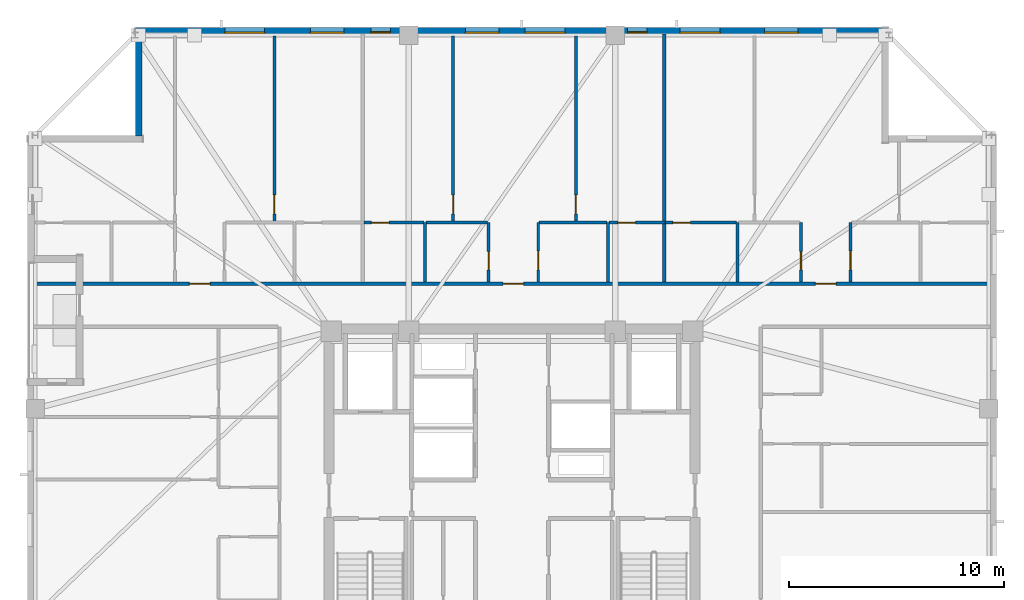
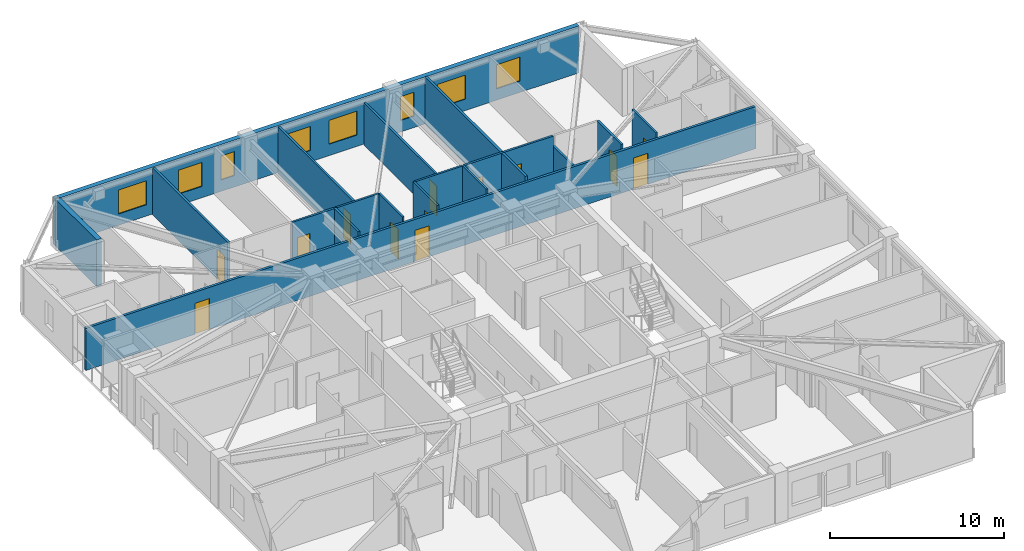
# One storey, part 11 of 17: 19 walls, 13 doors, 8 windows, 21 openings.
"""IFC4 building model written with IfcOpenShell, lengths in metres."""

from ifc_helpers import new_model, si_unit, direction, frame, frame_2d, origin, place, context, subcontext, project, spatial, rectangle, extrude, material, layer, layer_set, type_object, element, fill, save


model = new_model("IFC4")

# Units and contexts
model_context = context("Model", 3, precision=1e-05, world=origin(), true_north=direction((0.0, 1.0)))
body_context = subcontext(model_context, "Body", "Model", "MODEL_VIEW")
ifc_project = project(units=[si_unit("LENGTHUNIT", "METRE"), si_unit("AREAUNIT", "SQUARE_METRE"), si_unit("VOLUMEUNIT", "CUBIC_METRE"), si_unit("PLANEANGLEUNIT", "RADIAN"), si_unit("MASSUNIT", "GRAM", prefix="KILO")], contexts=[model_context])

# Site, building, storey
site_placement = place(None, origin())
site = spatial("IfcSite", under=ifc_project, at=site_placement, CompositionType="ELEMENT")
building_placement = place(site_placement, origin())
building = spatial("IfcBuilding", under=site, at=building_placement, Name="Cairnveth Concourse Tower", CompositionType="ELEMENT")
storey_placement = place(building_placement, frame((0.0, 0.0, 230.5)))
storey = spatial("IfcBuildingStorey", under=building, at=storey_placement, Name="L63", CompositionType="ELEMENT", Elevation=230.5)

# Wall, openings, doors
ifc_material_1 = material(Name="Gypsum Plasterboard Partition", Category="gypsum")
ifc_layer_1 = layer(ifc_material_1, 0.159912109375)
ifc_layer_set_1 = layer_set([ifc_layer_1], Name="Gypsum Plasterboard Partition")
wall_type_1 = type_object("IfcWallType", Name="ACOUSTIC PARTY WALL 180", PredefinedType="PARTITIONING", material=ifc_layer_set_1)
wall_1_placement = place(storey_placement, frame((29.77001953125, 49.612548828125, 0.0), z_axis=(0.0, 0.0, 1.0), x_axis=(1.0, 0.0, 0.0)))
wall_1 = element("IfcWall", 1, at=wall_1_placement, inside=storey, type_object=wall_type_1, Name="Interior Wall IW-L63-036", PredefinedType="PARTITIONING", context=body_context, shape_type="SweptSolid", body=[
    extrude(rectangle(XDim=44.425048828125, YDim=0.159912109375, at=frame_2d((22.21240234375, 0.0))), origin(), (0.0, 0.0, 1.0), 2.9580078125),
])
opening_1_placement = place(wall_1_placement, frame((7.2412109375, 0.0, 0.0)))
opening_1 = element("IfcOpeningElement", 2, at=opening_1_placement, cuts=wall_1, Name="Opening ID10", PredefinedType="OPENING", context=body_context, shape_type="SweptSolid", body=[
    extrude(rectangle(XDim=0.9599609375, YDim=2.179931640625, at=frame_2d((0.47998046875, 1.08984375))), frame((0.0, 0.08984375, 0.0), z_axis=(0.0, -1.0, 0.0), x_axis=(1.0, 0.0, 0.0)), (0.0, 0.0, 1.0), 0.179931640625),
])
opening_2_placement = place(wall_1_placement, frame((21.81494140625, 0.0, 0.0)))
opening_2 = element("IfcOpeningElement", 3, at=opening_2_placement, cuts=wall_1, Name="Opening ID10", PredefinedType="OPENING", context=body_context, shape_type="SweptSolid", body=[
    extrude(rectangle(XDim=0.9599609375, YDim=2.179931640625, at=frame_2d((0.47998046875, 1.08984375))), frame((0.0, 0.08984375, 0.0), z_axis=(0.0, -1.0, 0.0), x_axis=(1.0, 0.0, 0.0)), (0.0, 0.0, 1.0), 0.179931640625),
])
opening_3_placement = place(wall_1_placement, frame((36.32373046875, 0.0, 0.0)))
opening_3 = element("IfcOpeningElement", 4, at=opening_3_placement, cuts=wall_1, Name="Opening ID10", PredefinedType="OPENING", context=body_context, shape_type="SweptSolid", body=[
    extrude(rectangle(XDim=0.9599609375, YDim=2.179931640625, at=frame_2d((0.47998046875, 1.08984375))), frame((0.0, 0.08984375, 0.0), z_axis=(0.0, -1.0, 0.0), x_axis=(1.0, 0.0, 0.0)), (0.0, 0.0, 1.0), 0.179931640625),
])
ifc_material_2 = material(Name="Solid Core Hardwood Timber Leaf", Category="wood")
door_type_1 = type_object("IfcDoorType", Name="FLAT ENTRANCE DOOR 960X2150", OperationType="NOTDEFINED", PredefinedType="DOOR", material=ifc_material_2)
door_1_placement = place(opening_1_placement, origin())
door_1 = element("IfcDoor", 5, at=door_1_placement, inside=storey, type_object=door_type_1, Name="Apartment L63N1 Entrance Door", OperationType="SINGLE_SWING_RIGHT", OverallHeight=2.179931640625, OverallWidth=0.9599609375, PredefinedType="DOOR", context=body_context, shape_type="SweptSolid", body=[
    extrude(rectangle(XDim=0.9599609375, YDim=2.179931640625, at=frame_2d((0.47998046875, 1.08984375))), frame((0.0, 0.02490234375, 0.0), z_axis=(0.0, -1.0, 0.0), x_axis=(1.0, 0.0, 0.0)), (0.0, 0.0, 1.0), 0.050048828125),
])
fill(opening_1, door_1)
door_2_placement = place(opening_2_placement, origin())
door_2 = element("IfcDoor", 6, at=door_2_placement, inside=storey, type_object=door_type_1, Name="Apartment L63N2 Entrance Door", OperationType="SINGLE_SWING_LEFT", OverallHeight=2.179931640625, OverallWidth=0.9599609375, PredefinedType="DOOR", context=body_context, shape_type="SweptSolid", body=[
    extrude(rectangle(XDim=0.9599609375, YDim=2.179931640625, at=frame_2d((0.47998046875, 1.08984375))), frame((0.0, 0.02490234375, 0.0), z_axis=(0.0, -1.0, 0.0), x_axis=(1.0, 0.0, 0.0)), (0.0, 0.0, 1.0), 0.050048828125),
])
fill(opening_2, door_2)
door_3_placement = place(opening_3_placement, origin())
door_3 = element("IfcDoor", 7, at=door_3_placement, inside=storey, type_object=door_type_1, Name="Apartment L63N3 Entrance Door", OperationType="SINGLE_SWING_RIGHT", OverallHeight=2.179931640625, OverallWidth=0.9599609375, PredefinedType="DOOR", context=body_context, shape_type="SweptSolid", body=[
    extrude(rectangle(XDim=0.9599609375, YDim=2.179931640625, at=frame_2d((0.47998046875, 1.08984375))), frame((0.0, 0.02490234375, 0.0), z_axis=(0.0, -1.0, 0.0), x_axis=(1.0, 0.0, 0.0)), (0.0, 0.0, 1.0), 0.050048828125),
])
fill(opening_3, door_3)

# Wall
wall_2_placement = place(storey_placement, frame((59.0673828125, 49.677490234375, 0.0), z_axis=(0.0, 0.0, 1.0), x_axis=(0.0, 1.0, 0.0)))
element("IfcWall", 8, at=wall_2_placement, inside=storey, type_object=wall_type_1, Name="Interior Wall IW-L63-087", PredefinedType="PARTITIONING", context=body_context, shape_type="SweptSolid", body=[
    extrude(rectangle(XDim=11.517578125, YDim=0.159912109375, at=frame_2d((5.7587890625, 0.0))), origin(), (0.0, 0.0, 1.0), 3.2900390625),
])

# Wall, opening, door
ifc_layer_2 = layer(ifc_material_1, 0.139892578125)
ifc_layer_set_2 = layer_set([ifc_layer_2], Name="Gypsum Plasterboard Partition")
wall_type_2 = type_object("IfcWallType", Name="GYPSUM STUD PARTITION 140", PredefinedType="PARTITIONING", material=ifc_layer_set_2)
wall_3_placement = place(storey_placement, frame((40.96240234375, 52.492431640625, 0.0), z_axis=(0.0, 0.0, 1.0), x_axis=(0.0, 1.0, 0.0)))
wall_3 = element("IfcWall", 9, at=wall_3_placement, inside=storey, type_object=wall_type_2, Name="Interior Wall IW-L63-074", PredefinedType="PARTITIONING", context=body_context, shape_type="SweptSolid", body=[
    extrude(rectangle(XDim=8.627685546875, YDim=0.139892578125, at=frame_2d((4.31396484375, 0.0))), origin(), (0.0, 0.0, 1.0), 3.2900390625),
])
opening_4_placement = place(wall_3_placement, frame((0.360107421875, 0.0, 0.0)))
opening_4 = element("IfcOpeningElement", 10, at=opening_4_placement, cuts=wall_3, Name="Opening ID18", PredefinedType="OPENING", context=body_context, shape_type="SweptSolid", body=[
    extrude(rectangle(XDim=0.8798828125, YDim=2.10009765625, at=frame_2d((0.43994140625, 1.050048828125))), frame((0.0, 0.079833984375, 0.0), z_axis=(0.0, -1.0, 0.0), x_axis=(1.0, 0.0, 0.0)), (0.0, 0.0, 1.0), 0.159912109375),
])
door_type_2 = type_object("IfcDoorType", Name="INTERIOR SINGLE DOOR 880X2100", OperationType="NOTDEFINED", PredefinedType="DOOR", material=ifc_material_2)
door_4_placement = place(opening_4_placement, origin())
door_4 = element("IfcDoor", 11, at=door_4_placement, inside=storey, type_object=door_type_2, Name="L63N1 Bedroom 2 Door", OperationType="SINGLE_SWING_LEFT", OverallHeight=2.10009765625, OverallWidth=0.8798828125, PredefinedType="DOOR", context=body_context, shape_type="SweptSolid", body=[
    extrude(rectangle(XDim=0.8798828125, YDim=2.10009765625, at=frame_2d((0.43994140625, 1.050048828125))), frame((0.0, 0.02490234375, 0.0), z_axis=(0.0, -1.0, 0.0), x_axis=(1.0, 0.0, 0.0)), (0.0, 0.0, 1.0), 0.050048828125),
])
fill(opening_4, door_4)

wall_4_placement = place(storey_placement, frame((49.262451171875, 52.492431640625, 0.0), z_axis=(0.0, 0.0, 1.0), x_axis=(0.0, 1.0, 0.0)))
wall_4 = element("IfcWall", 12, at=wall_4_placement, inside=storey, type_object=wall_type_2, Name="Interior Wall IW-L63-083", PredefinedType="PARTITIONING", context=body_context, shape_type="SweptSolid", body=[
    extrude(rectangle(XDim=8.627685546875, YDim=0.139892578125, at=frame_2d((4.31396484375, 0.0))), origin(), (0.0, 0.0, 1.0), 3.2900390625),
])
opening_5_placement = place(wall_4_placement, frame((0.360107421875, 0.0, 0.0)))
opening_5 = element("IfcOpeningElement", 13, at=opening_5_placement, cuts=wall_4, Name="Opening ID18", PredefinedType="OPENING", context=body_context, shape_type="SweptSolid", body=[
    extrude(rectangle(XDim=0.8798828125, YDim=2.10009765625, at=frame_2d((0.43994140625, 1.050048828125))), frame((0.0, 0.079833984375, 0.0), z_axis=(0.0, -1.0, 0.0), x_axis=(1.0, 0.0, 0.0)), (0.0, 0.0, 1.0), 0.159912109375),
])
door_5_placement = place(opening_5_placement, origin())
door_5 = element("IfcDoor", 14, at=door_5_placement, inside=storey, type_object=door_type_2, Name="L63N2 Master Bedroom Door", OperationType="SINGLE_SWING_RIGHT", OverallHeight=2.10009765625, OverallWidth=0.8798828125, PredefinedType="DOOR", context=body_context, shape_type="SweptSolid", body=[
    extrude(rectangle(XDim=0.8798828125, YDim=2.10009765625, at=frame_2d((0.43994140625, 1.050048828125))), frame((0.0, 0.02490234375, 0.0), z_axis=(0.0, -1.0, 0.0), x_axis=(1.0, 0.0, 0.0)), (0.0, 0.0, 1.0), 0.050048828125),
])
fill(opening_5, door_5)

wall_5_placement = place(storey_placement, frame((45.12744140625, 52.4423828125, 0.0), z_axis=(0.0, 0.0, 1.0), x_axis=(1.0, 0.0, 0.0)))
wall_5 = element("IfcWall", 15, at=wall_5_placement, inside=storey, type_object=wall_type_2, Name="Interior Wall IW-L63-084", PredefinedType="PARTITIONING", context=body_context, shape_type="SweptSolid", body=[
    extrude(rectangle(XDim=2.78759765625, YDim=0.139892578125, at=frame_2d((1.393798828125, 0.0))), origin(), (0.0, 0.0, 1.0), 3.2900390625),
])
opening_6_placement = place(wall_5_placement, frame((0.3349609375, 0.0, 0.0)))
opening_6 = element("IfcOpeningElement", 16, at=opening_6_placement, cuts=wall_5, Name="Opening ID22", PredefinedType="OPENING", context=body_context, shape_type="SweptSolid", body=[
    extrude(rectangle(XDim=0.820068359375, YDim=2.10009765625, at=frame_2d((0.41015625, 1.050048828125))), frame((0.0, 0.079833984375, 0.0), z_axis=(0.0, -1.0, 0.0), x_axis=(1.0, 0.0, 0.0)), (0.0, 0.0, 1.0), 0.159912109375),
])
door_type_3 = type_object("IfcDoorType", Name="INTERIOR WC DOOR 820X2100", OperationType="NOTDEFINED", PredefinedType="DOOR", material=ifc_material_2)
door_6_placement = place(opening_6_placement, origin())
door_6 = element("IfcDoor", 17, at=door_6_placement, inside=storey, type_object=door_type_3, Name="L63N2 Dressing Door", OperationType="SINGLE_SWING_LEFT", OverallHeight=2.10009765625, OverallWidth=0.820068359375, PredefinedType="DOOR", context=body_context, shape_type="SweptSolid", body=[
    extrude(rectangle(XDim=0.820068359375, YDim=2.10009765625, at=frame_2d((0.41015625, 1.050048828125))), frame((0.0, 0.02490234375, 0.0), z_axis=(0.0, -1.0, 0.0), x_axis=(1.0, 0.0, 0.0)), (0.0, 0.0, 1.0), 0.050048828125),
])
fill(opening_6, door_6)

wall_6_placement = place(storey_placement, frame((54.967529296875, 52.492431640625, 0.0), z_axis=(0.0, 0.0, 1.0), x_axis=(0.0, 1.0, 0.0)))
wall_6 = element("IfcWall", 18, at=wall_6_placement, inside=storey, type_object=wall_type_2, Name="Interior Wall IW-L63-085", PredefinedType="PARTITIONING", context=body_context, shape_type="SweptSolid", body=[
    extrude(rectangle(XDim=8.627685546875, YDim=0.139892578125, at=frame_2d((4.31396484375, 0.0))), origin(), (0.0, 0.0, 1.0), 2.9580078125),
])
opening_7_placement = place(wall_6_placement, frame((0.360107421875, 0.0, 0.0)))
opening_7 = element("IfcOpeningElement", 19, at=opening_7_placement, cuts=wall_6, Name="Opening ID18", PredefinedType="OPENING", context=body_context, shape_type="SweptSolid", body=[
    extrude(rectangle(XDim=0.8798828125, YDim=2.10009765625, at=frame_2d((0.43994140625, 1.050048828125))), frame((0.0, 0.079833984375, 0.0), z_axis=(0.0, -1.0, 0.0), x_axis=(1.0, 0.0, 0.0)), (0.0, 0.0, 1.0), 0.159912109375),
])
door_7_placement = place(opening_7_placement, origin())
door_7 = element("IfcDoor", 20, at=door_7_placement, inside=storey, type_object=door_type_2, Name="L63N2 Bedroom 2 Door", OperationType="SINGLE_SWING_RIGHT", OverallHeight=2.10009765625, OverallWidth=0.8798828125, PredefinedType="DOOR", context=body_context, shape_type="SweptSolid", body=[
    extrude(rectangle(XDim=0.8798828125, YDim=2.10009765625, at=frame_2d((0.43994140625, 1.050048828125))), frame((0.0, 0.02490234375, 0.0), z_axis=(0.0, -1.0, 0.0), x_axis=(1.0, 0.0, 0.0)), (0.0, 0.0, 1.0), 0.050048828125),
])
fill(opening_7, door_7)

wall_7_placement = place(storey_placement, frame((56.514892578125, 52.4423828125, 0.0), z_axis=(0.0, 0.0, 1.0), x_axis=(1.0, 0.0, 0.0)))
wall_7 = element("IfcWall", 21, at=wall_7_placement, inside=storey, type_object=wall_type_2, Name="Interior Wall IW-L63-086", PredefinedType="PARTITIONING", context=body_context, shape_type="SweptSolid", body=[
    extrude(rectangle(XDim=2.6025390625, YDim=0.139892578125, at=frame_2d((1.30126953125, 0.0))), origin(), (0.0, 0.0, 1.0), 3.2900390625),
])
opening_8_placement = place(wall_7_placement, frame((0.39990234375, 0.0, 0.0)))
opening_8 = element("IfcOpeningElement", 22, at=opening_8_placement, cuts=wall_7, Name="Opening ID22", PredefinedType="OPENING", context=body_context, shape_type="SweptSolid", body=[
    extrude(rectangle(XDim=0.820068359375, YDim=2.10009765625, at=frame_2d((0.41015625, 1.050048828125))), frame((0.0, 0.079833984375, 0.0), z_axis=(0.0, -1.0, 0.0), x_axis=(1.0, 0.0, 0.0)), (0.0, 0.0, 1.0), 0.159912109375),
])
door_8_placement = place(opening_8_placement, origin())
door_8 = element("IfcDoor", 23, at=door_8_placement, inside=storey, type_object=door_type_3, Name="L63N2 Utility Door", OperationType="SINGLE_SWING_LEFT", OverallHeight=2.10009765625, OverallWidth=0.820068359375, PredefinedType="DOOR", context=body_context, shape_type="SweptSolid", body=[
    extrude(rectangle(XDim=0.820068359375, YDim=2.10009765625, at=frame_2d((0.41015625, 1.050048828125))), frame((0.0, 0.02490234375, 0.0), z_axis=(0.0, -1.0, 0.0), x_axis=(1.0, 0.0, 0.0)), (0.0, 0.0, 1.0), 0.050048828125),
])
fill(opening_8, door_8)

wall_8_placement = place(storey_placement, frame((59.132568359375, 52.4423828125, 0.0), z_axis=(0.0, 0.0, 1.0), x_axis=(1.0, 0.0, 0.0)))
wall_8 = element("IfcWall", 24, at=wall_8_placement, inside=storey, type_object=wall_type_2, Name="Interior Wall IW-L63-095", PredefinedType="PARTITIONING", context=body_context, shape_type="SweptSolid", body=[
    extrude(rectangle(XDim=3.291015625, YDim=0.139892578125, at=frame_2d((1.6455078125, 0.0))), origin(), (0.0, 0.0, 1.0), 3.2900390625),
])
opening_9_placement = place(wall_8_placement, frame((0.3349609375, 0.0, 0.0)))
opening_9 = element("IfcOpeningElement", 25, at=opening_9_placement, cuts=wall_8, Name="Opening ID22", PredefinedType="OPENING", context=body_context, shape_type="SweptSolid", body=[
    extrude(rectangle(XDim=0.820068359375, YDim=2.10009765625, at=frame_2d((0.41015625, 1.050048828125))), frame((0.0, 0.079833984375, 0.0), z_axis=(0.0, -1.0, 0.0), x_axis=(1.0, 0.0, 0.0)), (0.0, 0.0, 1.0), 0.159912109375),
])
door_9_placement = place(opening_9_placement, origin())
door_9 = element("IfcDoor", 26, at=door_9_placement, inside=storey, type_object=door_type_3, Name="L63N3 Dressing Door", OperationType="SINGLE_SWING_RIGHT", OverallHeight=2.10009765625, OverallWidth=0.820068359375, PredefinedType="DOOR", context=body_context, shape_type="SweptSolid", body=[
    extrude(rectangle(XDim=0.820068359375, YDim=2.10009765625, at=frame_2d((0.41015625, 1.050048828125))), frame((0.0, 0.02490234375, 0.0), z_axis=(0.0, -1.0, 0.0), x_axis=(1.0, 0.0, 0.0)), (0.0, 0.0, 1.0), 0.050048828125),
])
fill(opening_9, door_9)

# Wall
ifc_layer_3 = layer(ifc_material_1, 0.1298828125)
ifc_layer_set_3 = layer_set([ifc_layer_3], Name="Gypsum Plasterboard Partition")
wall_type_3 = type_object("IfcWallType", Name="WET AREA PARTITION 140", PredefinedType="PLUMBINGWALL", material=ifc_layer_set_3)
wall_9_placement = place(storey_placement, frame((47.965087890625, 49.6923828125, 0.0), z_axis=(0.0, 0.0, 1.0), x_axis=(0.0, 1.0, 0.0)))
element("IfcWall", 27, at=wall_9_placement, inside=storey, type_object=wall_type_3, Name="Interior Wall IW-L63-077", PredefinedType="PLUMBINGWALL", context=body_context, shape_type="SweptSolid", body=[
    extrude(rectangle(XDim=2.75, YDim=0.1298828125, at=frame_2d((1.375, 0.0))), origin(), (0.0, 0.0, 1.0), 3.2900390625),
])

# Wall, opening, door
wall_10_placement = place(storey_placement, frame((50.9150390625, 49.6923828125, 0.0), z_axis=(0.0, 0.0, 1.0), x_axis=(0.0, 1.0, 0.0)))
wall_10 = element("IfcWall", 28, at=wall_10_placement, inside=storey, type_object=wall_type_3, Name="Interior Wall IW-L63-078", PredefinedType="PLUMBINGWALL", context=body_context, shape_type="SweptSolid", body=[
    extrude(rectangle(XDim=2.75, YDim=0.1298828125, at=frame_2d((1.375, 0.0))), origin(), (0.0, 0.0, 1.0), 3.2900390625),
])
opening_10_placement = place(wall_10_placement, frame((0.550048828125, 0.0, 0.0)))
opening_10 = element("IfcOpeningElement", 29, at=opening_10_placement, cuts=wall_10, Name="Opening ID21", PredefinedType="OPENING", context=body_context, shape_type="SweptSolid", body=[
    extrude(rectangle(XDim=0.85009765625, YDim=2.080078125, at=frame_2d((0.425048828125, 1.0400390625))), frame((0.0, 0.074951171875, 0.0), z_axis=(0.0, -1.0, 0.0), x_axis=(1.0, 0.0, 0.0)), (0.0, 0.0, 1.0), 0.14990234375),
])
door_type_4 = type_object("IfcDoorType", Name="INTERIOR WC DOOR 850X2100", OperationType="NOTDEFINED", PredefinedType="DOOR", material=ifc_material_2)
door_10_placement = place(opening_10_placement, origin())
door_10 = element("IfcDoor", 30, at=door_10_placement, inside=storey, type_object=door_type_4, Name="L63N2 Bathroom Door", OperationType="SINGLE_SWING_LEFT", OverallHeight=2.080078125, OverallWidth=0.85009765625, PredefinedType="DOOR", context=body_context, shape_type="SweptSolid", body=[
    extrude(rectangle(XDim=0.85009765625, YDim=2.080078125, at=frame_2d((0.425048828125, 1.0400390625))), frame((0.0, 0.02490234375, 0.0), z_axis=(0.0, -1.0, 0.0), x_axis=(1.0, 0.0, 0.0)), (0.0, 0.0, 1.0), 0.050048828125),
])
fill(opening_10, door_10)

# Walls
wall_11_placement = place(storey_placement, frame((48.014892578125, 52.4423828125, 0.0), z_axis=(0.0, 0.0, 1.0), x_axis=(1.0, 0.0, 0.0)))
element("IfcWall", 31, at=wall_11_placement, inside=storey, type_object=wall_type_3, Name="Interior Wall IW-L63-079", PredefinedType="PLUMBINGWALL", context=body_context, shape_type="SweptSolid", body=[
    extrude(rectangle(XDim=2.85009765625, YDim=0.1298828125, at=frame_2d((1.425048828125, 0.0))), origin(), (0.0, 0.0, 1.0), 3.2900390625),
])
wall_12_placement = place(storey_placement, frame((56.465087890625, 49.6923828125, 0.0), z_axis=(0.0, 0.0, 1.0), x_axis=(0.0, 1.0, 0.0)))
element("IfcWall", 32, at=wall_12_placement, inside=storey, type_object=wall_type_3, Name="Interior Wall IW-L63-080", PredefinedType="PLUMBINGWALL", context=body_context, shape_type="SweptSolid", body=[
    extrude(rectangle(XDim=2.75, YDim=0.1298828125, at=frame_2d((1.375, 0.0))), origin(), (0.0, 0.0, 1.0), 3.2900390625),
])

# Wall, opening, door
wall_13_placement = place(storey_placement, frame((53.215087890625, 49.6923828125, 0.0), z_axis=(0.0, 0.0, 1.0), x_axis=(0.0, 1.0, 0.0)))
wall_13 = element("IfcWall", 33, at=wall_13_placement, inside=storey, type_object=wall_type_3, Name="Interior Wall IW-L63-081", PredefinedType="PLUMBINGWALL", context=body_context, shape_type="SweptSolid", body=[
    extrude(rectangle(XDim=2.75, YDim=0.1298828125, at=frame_2d((1.375, 0.0))), origin(), (0.0, 0.0, 1.0), 3.2900390625),
])
opening_11_placement = place(wall_13_placement, frame((0.550048828125, 0.0, 0.0)))
opening_11 = element("IfcOpeningElement", 34, at=opening_11_placement, cuts=wall_13, Name="Opening ID18", PredefinedType="OPENING", context=body_context, shape_type="SweptSolid", body=[
    extrude(rectangle(XDim=0.8798828125, YDim=2.10009765625, at=frame_2d((0.43994140625, 1.050048828125))), frame((0.0, 0.074951171875, 0.0), z_axis=(0.0, -1.0, 0.0), x_axis=(1.0, 0.0, 0.0)), (0.0, 0.0, 1.0), 0.14990234375),
])
door_11_placement = place(opening_11_placement, origin())
door_11 = element("IfcDoor", 35, at=door_11_placement, inside=storey, type_object=door_type_2, Name="L63N2 Kitchen Door", OperationType="SINGLE_SWING_RIGHT", OverallHeight=2.10009765625, OverallWidth=0.8798828125, PredefinedType="DOOR", context=body_context, shape_type="SweptSolid", body=[
    extrude(rectangle(XDim=0.8798828125, YDim=2.10009765625, at=frame_2d((0.43994140625, 1.050048828125))), frame((0.0, 0.02490234375, 0.0), z_axis=(0.0, -1.0, 0.0), x_axis=(1.0, 0.0, 0.0)), (0.0, 0.0, 1.0), 0.050048828125),
])
fill(opening_11, door_11)

# Walls
wall_14_placement = place(storey_placement, frame((53.264892578125, 52.4423828125, 0.0), z_axis=(0.0, 0.0, 1.0), x_axis=(1.0, 0.0, 0.0)))
element("IfcWall", 36, at=wall_14_placement, inside=storey, type_object=wall_type_3, Name="Interior Wall IW-L63-082", PredefinedType="PLUMBINGWALL", context=body_context, shape_type="SweptSolid", body=[
    extrude(rectangle(XDim=3.150146484375, YDim=0.1298828125, at=frame_2d((1.5751953125, 0.0))), origin(), (0.0, 0.0, 1.0), 3.2900390625),
])
wall_15_placement = place(storey_placement, frame((62.4736328125, 49.6923828125, 0.0), z_axis=(0.0, 0.0, 1.0), x_axis=(0.0, 1.0, 0.0)))
element("IfcWall", 37, at=wall_15_placement, inside=storey, type_object=wall_type_3, Name="Interior Wall IW-L63-088", PredefinedType="PLUMBINGWALL", context=body_context, shape_type="SweptSolid", body=[
    extrude(rectangle(XDim=2.75, YDim=0.1298828125, at=frame_2d((1.375, 0.0))), origin(), (0.0, 0.0, 1.0), 2.572998046875),
])

# Wall, opening, door
wall_16_placement = place(storey_placement, frame((65.423583984375, 49.6923828125, 0.0), z_axis=(0.0, 0.0, 1.0), x_axis=(0.0, 1.0, 0.0)))
wall_16 = element("IfcWall", 38, at=wall_16_placement, inside=storey, type_object=wall_type_3, Name="Interior Wall IW-L63-089", PredefinedType="PLUMBINGWALL", context=body_context, shape_type="SweptSolid", body=[
    extrude(rectangle(XDim=2.75, YDim=0.1298828125, at=frame_2d((1.375, 0.0))), origin(), (0.0, 0.0, 1.0), 3.2900390625),
])
opening_12_placement = place(wall_16_placement, frame((0.550048828125, 0.0, 0.0)))
opening_12 = element("IfcOpeningElement", 39, at=opening_12_placement, cuts=wall_16, Name="Opening ID21", PredefinedType="OPENING", context=body_context, shape_type="SweptSolid", body=[
    extrude(rectangle(XDim=0.85009765625, YDim=2.080078125, at=frame_2d((0.425048828125, 1.0400390625))), frame((0.0, 0.074951171875, 0.0), z_axis=(0.0, -1.0, 0.0), x_axis=(1.0, 0.0, 0.0)), (0.0, 0.0, 1.0), 0.14990234375),
])
door_12_placement = place(opening_12_placement, origin())
door_12 = element("IfcDoor", 40, at=door_12_placement, inside=storey, type_object=door_type_4, Name="L63N3 Bathroom Door", OperationType="SINGLE_SWING_RIGHT", OverallHeight=2.080078125, OverallWidth=0.85009765625, PredefinedType="DOOR", context=body_context, shape_type="SweptSolid", body=[
    extrude(rectangle(XDim=0.85009765625, YDim=2.080078125, at=frame_2d((0.425048828125, 1.0400390625))), frame((0.0, 0.02490234375, 0.0), z_axis=(0.0, -1.0, 0.0), x_axis=(1.0, 0.0, 0.0)), (0.0, 0.0, 1.0), 0.050048828125),
])
fill(opening_12, door_12)

wall_17_placement = place(storey_placement, frame((67.723876953125, 49.6923828125, 0.0), z_axis=(0.0, 0.0, 1.0), x_axis=(0.0, 1.0, 0.0)))
wall_17 = element("IfcWall", 41, at=wall_17_placement, inside=storey, type_object=wall_type_3, Name="Interior Wall IW-L63-092", PredefinedType="PLUMBINGWALL", context=body_context, shape_type="SweptSolid", body=[
    extrude(rectangle(XDim=2.75, YDim=0.1298828125, at=frame_2d((1.375, 0.0))), origin(), (0.0, 0.0, 1.0), 3.2900390625),
])
opening_13_placement = place(wall_17_placement, frame((0.550048828125, 0.0, 0.0)))
opening_13 = element("IfcOpeningElement", 42, at=opening_13_placement, cuts=wall_17, Name="Opening ID18", PredefinedType="OPENING", context=body_context, shape_type="SweptSolid", body=[
    extrude(rectangle(XDim=0.8798828125, YDim=2.10009765625, at=frame_2d((0.43994140625, 1.050048828125))), frame((0.0, 0.074951171875, 0.0), z_axis=(0.0, -1.0, 0.0), x_axis=(1.0, 0.0, 0.0)), (0.0, 0.0, 1.0), 0.14990234375),
])
door_13_placement = place(opening_13_placement, origin())
door_13 = element("IfcDoor", 43, at=door_13_placement, inside=storey, type_object=door_type_2, Name="L63N3 Kitchen Door", OperationType="SINGLE_SWING_LEFT", OverallHeight=2.10009765625, OverallWidth=0.8798828125, PredefinedType="DOOR", context=body_context, shape_type="SweptSolid", body=[
    extrude(rectangle(XDim=0.8798828125, YDim=2.10009765625, at=frame_2d((0.43994140625, 1.050048828125))), frame((0.0, 0.02490234375, 0.0), z_axis=(0.0, -1.0, 0.0), x_axis=(1.0, 0.0, 0.0)), (0.0, 0.0, 1.0), 0.050048828125),
])
fill(opening_13, door_13)

# Wall
ifc_material_3 = material(Name="Melbourne Buff Fired Clay Brick Masonry", Category="masonry")
ifc_layer_4 = layer(ifc_material_3, 0.320068359375)
ifc_layer_set_4 = layer_set([ifc_layer_4], Name="Melbourne Buff Fired Clay Brick Masonry")
wall_type_4 = type_object("IfcWallType", Name="ZONE 3 BRICK PIER SPANDREL WALL 320", PredefinedType="SOLIDWALL", material=ifc_layer_set_4)
wall_18_placement = place(storey_placement, frame((34.659912109375, 56.47802734375, 0.0), z_axis=(0.0, 0.0, 1.0), x_axis=(0.0, 1.0, 0.0)))
element("IfcWall", 44, at=wall_18_placement, inside=storey, type_object=wall_type_4, Name="Exterior Wall EW-L63-S02", PredefinedType="SOLIDWALL", context=body_context, shape_type="SweptSolid", body=[
    extrude(rectangle(XDim=4.723876953125, YDim=0.320068359375, at=frame_2d((2.36181640625, 0.0))), origin(), (0.0, 0.0, 1.0), 3.2900390625),
])

# Wall, openings, windows
wall_19_placement = place(storey_placement, frame((34.5, 61.340087890625, 0.0), z_axis=(0.0, 0.0, 1.0), x_axis=(1.0, 0.0, 0.0)))
wall_19 = element("IfcWall", 45, at=wall_19_placement, inside=storey, type_object=wall_type_4, Name="Exterior Wall EW-L63-S03", PredefinedType="SOLIDWALL", context=body_context, shape_type="SweptSolid", body=[
    extrude(rectangle(XDim=34.701904296875, YDim=0.320068359375, at=frame_2d((17.35107421875, 0.0))), origin(), (0.0, 0.0, 1.0), 3.2900390625),
])
opening_14_placement = place(wall_19_placement, frame((4.16259765625, 0.0, 0.800048828125)))
opening_14 = element("IfcOpeningElement", 46, at=opening_14_placement, cuts=wall_19, Name="Opening W08", PredefinedType="OPENING", context=body_context, shape_type="SweptSolid", body=[
    extrude(rectangle(XDim=1.85009765625, YDim=1.677978515625, at=frame_2d((0.925048828125, 0.8388671875))), frame((0.0, 0.169921875, 0.0), z_axis=(0.0, -1.0, 0.0), x_axis=(1.0, 0.0, 0.0)), (0.0, 0.0, 1.0), 0.340087890625),
])
opening_15_placement = place(wall_19_placement, frame((8.137939453125, 0.0, 0.800048828125)))
opening_15 = element("IfcOpeningElement", 47, at=opening_15_placement, cuts=wall_19, Name="Opening W07", PredefinedType="OPENING", context=body_context, shape_type="SweptSolid", body=[
    extrude(rectangle(XDim=1.550048828125, YDim=1.677978515625, at=frame_2d((0.77490234375, 0.8388671875))), frame((0.0, 0.169921875, 0.0), z_axis=(0.0, -1.0, 0.0), x_axis=(1.0, 0.0, 0.0)), (0.0, 0.0, 1.0), 0.340087890625),
])
opening_16_placement = place(wall_19_placement, frame((15.33837890625, 0.0, 0.800048828125)))
opening_16 = element("IfcOpeningElement", 48, at=opening_16_placement, cuts=wall_19, Name="Opening W07", PredefinedType="OPENING", context=body_context, shape_type="SweptSolid", body=[
    extrude(rectangle(XDim=1.550048828125, YDim=1.677978515625, at=frame_2d((0.77490234375, 0.8388671875))), frame((0.0, 0.169921875, 0.0), z_axis=(0.0, -1.0, 0.0), x_axis=(1.0, 0.0, 0.0)), (0.0, 0.0, 1.0), 0.340087890625),
])
opening_17_placement = place(wall_19_placement, frame((18.113525390625, 0.0, 0.800048828125)))
opening_17 = element("IfcOpeningElement", 49, at=opening_17_placement, cuts=wall_19, Name="Opening W08", PredefinedType="OPENING", context=body_context, shape_type="SweptSolid", body=[
    extrude(rectangle(XDim=1.85009765625, YDim=1.677978515625, at=frame_2d((0.925048828125, 0.8388671875))), frame((0.0, 0.169921875, 0.0), z_axis=(0.0, -1.0, 0.0), x_axis=(1.0, 0.0, 0.0)), (0.0, 0.0, 1.0), 0.340087890625),
])
opening_18_placement = place(wall_19_placement, frame((25.314208984375, 0.0, 0.800048828125)))
opening_18 = element("IfcOpeningElement", 50, at=opening_18_placement, cuts=wall_19, Name="Opening W08", PredefinedType="OPENING", context=body_context, shape_type="SweptSolid", body=[
    extrude(rectangle(XDim=1.85009765625, YDim=1.677978515625, at=frame_2d((0.925048828125, 0.8388671875))), frame((0.0, 0.169921875, 0.0), z_axis=(0.0, -1.0, 0.0), x_axis=(1.0, 0.0, 0.0)), (0.0, 0.0, 1.0), 0.340087890625),
])
opening_19_placement = place(wall_19_placement, frame((29.239501953125, 0.0, 0.800048828125)))
opening_19 = element("IfcOpeningElement", 51, at=opening_19_placement, cuts=wall_19, Name="Opening W07", PredefinedType="OPENING", context=body_context, shape_type="SweptSolid", body=[
    extrude(rectangle(XDim=1.550048828125, YDim=1.677978515625, at=frame_2d((0.77490234375, 0.8388671875))), frame((0.0, 0.169921875, 0.0), z_axis=(0.0, -1.0, 0.0), x_axis=(1.0, 0.0, 0.0)), (0.0, 0.0, 1.0), 0.340087890625),
])
opening_20_placement = place(wall_19_placement, frame((10.949951171875, 0.0, 0.800048828125)))
opening_20 = element("IfcOpeningElement", 52, at=opening_20_placement, cuts=wall_19, Name="Opening W13", PredefinedType="OPENING", context=body_context, shape_type="SweptSolid", body=[
    extrude(rectangle(XDim=0.89990234375, YDim=1.677978515625, at=frame_2d((0.449951171875, 0.8388671875))), frame((0.0, 0.169921875, 0.0), z_axis=(0.0, -1.0, 0.0), x_axis=(1.0, 0.0, 0.0)), (0.0, 0.0, 1.0), 0.340087890625),
])
opening_21_placement = place(wall_19_placement, frame((22.8701171875, 0.0, 0.800048828125)))
opening_21 = element("IfcOpeningElement", 53, at=opening_21_placement, cuts=wall_19, Name="Opening W13", PredefinedType="OPENING", context=body_context, shape_type="SweptSolid", body=[
    extrude(rectangle(XDim=0.89990234375, YDim=1.677978515625, at=frame_2d((0.449951171875, 0.8388671875))), frame((0.0, 0.169921875, 0.0), z_axis=(0.0, -1.0, 0.0), x_axis=(1.0, 0.0, 0.0)), (0.0, 0.0, 1.0), 0.340087890625),
])
ifc_material_4 = material(Name="Double Glazed Low-E Clear Glass", Category="glass")
window_type_1 = type_object("IfcWindowType", Name="DEEP-SET APARTMENT LIVING WINDOW 1850X1850", PartitioningType="DOUBLE_PANEL_VERTICAL", PredefinedType="WINDOW", material=ifc_material_4)
window_1_placement = place(opening_14_placement, origin())
window_1 = element("IfcWindow", 54, at=window_1_placement, inside=storey, type_object=window_type_1, Name="Gothic Lancet Window L63-3-1", OverallHeight=1.677978515625, OverallWidth=1.85009765625, PartitioningType="SINGLE_PANEL", PredefinedType="WINDOW", context=body_context, shape_type="SweptSolid", body=[
    extrude(rectangle(XDim=1.85009765625, YDim=1.677978515625, at=frame_2d((0.925048828125, 0.8388671875))), frame((0.0, -0.050048828125, 0.0), z_axis=(0.0, -1.0, 0.0), x_axis=(1.0, 0.0, 0.0)), (0.0, 0.0, 1.0), 0.06005859375),
])
fill(opening_14, window_1)
window_2_placement = place(opening_17_placement, origin())
window_2 = element("IfcWindow", 55, at=window_2_placement, inside=storey, type_object=window_type_1, Name="Gothic Lancet Window L63-3-5", OverallHeight=1.677978515625, OverallWidth=1.85009765625, PartitioningType="SINGLE_PANEL", PredefinedType="WINDOW", context=body_context, shape_type="SweptSolid", body=[
    extrude(rectangle(XDim=1.85009765625, YDim=1.677978515625, at=frame_2d((0.925048828125, 0.8388671875))), frame((0.0, -0.050048828125, 0.0), z_axis=(0.0, -1.0, 0.0), x_axis=(1.0, 0.0, 0.0)), (0.0, 0.0, 1.0), 0.06005859375),
])
fill(opening_17, window_2)
window_3_placement = place(opening_18_placement, origin())
window_3 = element("IfcWindow", 56, at=window_3_placement, inside=storey, type_object=window_type_1, Name="Gothic Lancet Window L63-3-7", OverallHeight=1.677978515625, OverallWidth=1.85009765625, PartitioningType="SINGLE_PANEL", PredefinedType="WINDOW", context=body_context, shape_type="SweptSolid", body=[
    extrude(rectangle(XDim=1.85009765625, YDim=1.677978515625, at=frame_2d((0.925048828125, 0.8388671875))), frame((0.0, -0.050048828125, 0.0), z_axis=(0.0, -1.0, 0.0), x_axis=(1.0, 0.0, 0.0)), (0.0, 0.0, 1.0), 0.06005859375),
])
fill(opening_18, window_3)
window_type_2 = type_object("IfcWindowType", Name="DEEP-SET APARTMENT WINDOW 1550X1800", PartitioningType="DOUBLE_PANEL_VERTICAL", PredefinedType="WINDOW", material=ifc_material_4)
window_4_placement = place(opening_15_placement, origin())
window_4 = element("IfcWindow", 57, at=window_4_placement, inside=storey, type_object=window_type_2, Name="Gothic Lancet Window L63-3-2", OverallHeight=1.677978515625, OverallWidth=1.550048828125, PartitioningType="SINGLE_PANEL", PredefinedType="WINDOW", context=body_context, shape_type="SweptSolid", body=[
    extrude(rectangle(XDim=1.550048828125, YDim=1.677978515625, at=frame_2d((0.77490234375, 0.8388671875))), frame((0.0, -0.050048828125, 0.0), z_axis=(0.0, -1.0, 0.0), x_axis=(1.0, 0.0, 0.0)), (0.0, 0.0, 1.0), 0.06005859375),
])
fill(opening_15, window_4)
window_5_placement = place(opening_16_placement, origin())
window_5 = element("IfcWindow", 58, at=window_5_placement, inside=storey, type_object=window_type_2, Name="Gothic Lancet Window L63-3-4", OverallHeight=1.677978515625, OverallWidth=1.550048828125, PartitioningType="SINGLE_PANEL", PredefinedType="WINDOW", context=body_context, shape_type="SweptSolid", body=[
    extrude(rectangle(XDim=1.550048828125, YDim=1.677978515625, at=frame_2d((0.77490234375, 0.8388671875))), frame((0.0, -0.050048828125, 0.0), z_axis=(0.0, -1.0, 0.0), x_axis=(1.0, 0.0, 0.0)), (0.0, 0.0, 1.0), 0.06005859375),
])
fill(opening_16, window_5)
window_6_placement = place(opening_19_placement, origin())
window_6 = element("IfcWindow", 59, at=window_6_placement, inside=storey, type_object=window_type_2, Name="Gothic Lancet Window L63-3-8", OverallHeight=1.677978515625, OverallWidth=1.550048828125, PartitioningType="SINGLE_PANEL", PredefinedType="WINDOW", context=body_context, shape_type="SweptSolid", body=[
    extrude(rectangle(XDim=1.550048828125, YDim=1.677978515625, at=frame_2d((0.77490234375, 0.8388671875))), frame((0.0, -0.050048828125, 0.0), z_axis=(0.0, -1.0, 0.0), x_axis=(1.0, 0.0, 0.0)), (0.0, 0.0, 1.0), 0.06005859375),
])
fill(opening_19, window_6)
window_type_3 = type_object("IfcWindowType", Name="DEEP-SET BEDROOM LANCET WINDOW 900X1750", PartitioningType="DOUBLE_PANEL_VERTICAL", PredefinedType="WINDOW", material=ifc_material_4)
window_7_placement = place(opening_20_placement, origin())
window_7 = element("IfcWindow", 60, at=window_7_placement, inside=storey, type_object=window_type_3, Name="Dwelling Lancet Window L63-DW4", OverallHeight=1.677978515625, OverallWidth=0.89990234375, PartitioningType="SINGLE_PANEL", PredefinedType="WINDOW", context=body_context, shape_type="SweptSolid", body=[
    extrude(rectangle(XDim=0.89990234375, YDim=1.677978515625, at=frame_2d((0.449951171875, 0.8388671875))), frame((0.0, -0.0400390625, 0.0), z_axis=(0.0, -1.0, 0.0), x_axis=(1.0, 0.0, 0.0)), (0.0, 0.0, 1.0), 0.06005859375),
])
fill(opening_20, window_7)
window_8_placement = place(opening_21_placement, origin())
window_8 = element("IfcWindow", 61, at=window_8_placement, inside=storey, type_object=window_type_3, Name="Dwelling Lancet Window L63-DW5", OverallHeight=1.677978515625, OverallWidth=0.89990234375, PartitioningType="SINGLE_PANEL", PredefinedType="WINDOW", context=body_context, shape_type="SweptSolid", body=[
    extrude(rectangle(XDim=0.89990234375, YDim=1.677978515625, at=frame_2d((0.449951171875, 0.8388671875))), frame((0.0, -0.0400390625, 0.0), z_axis=(0.0, -1.0, 0.0), x_axis=(1.0, 0.0, 0.0)), (0.0, 0.0, 1.0), 0.06005859375),
])
fill(opening_21, window_8)

save(model, "model.ifc")
